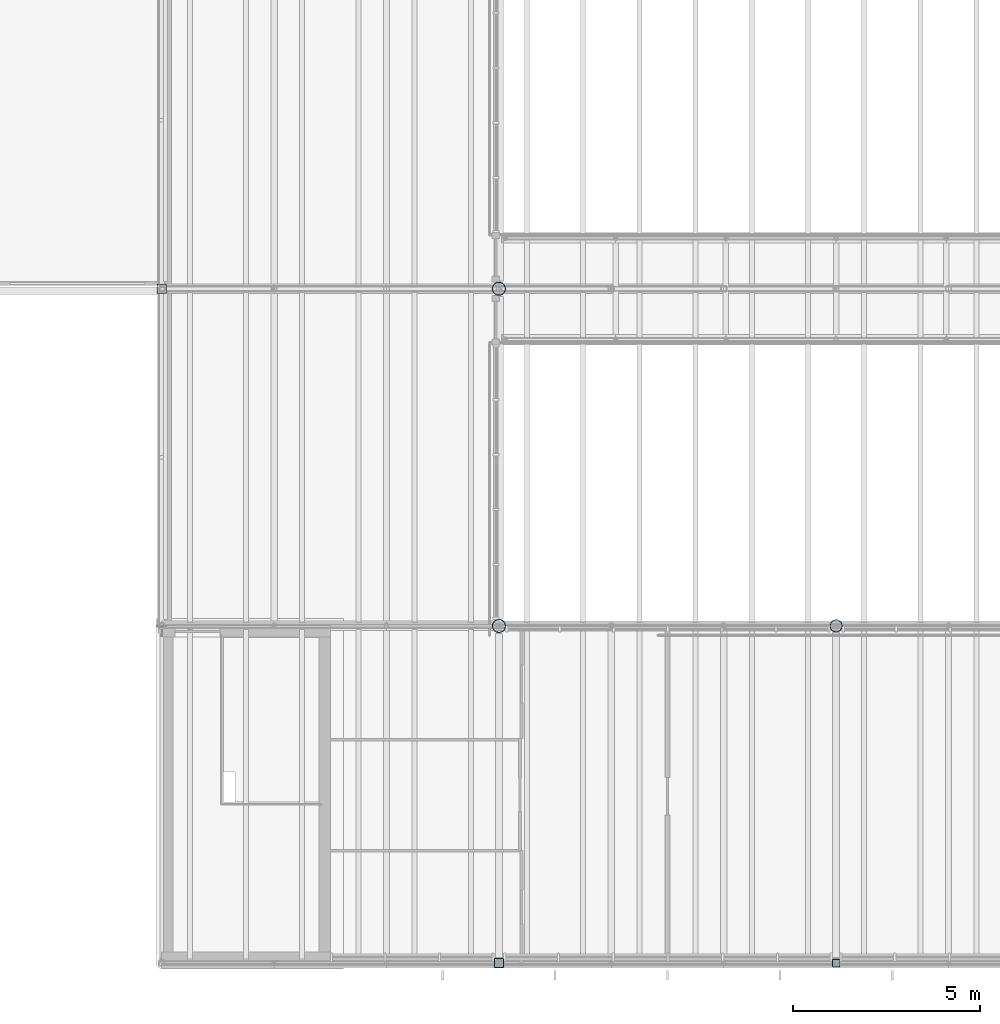
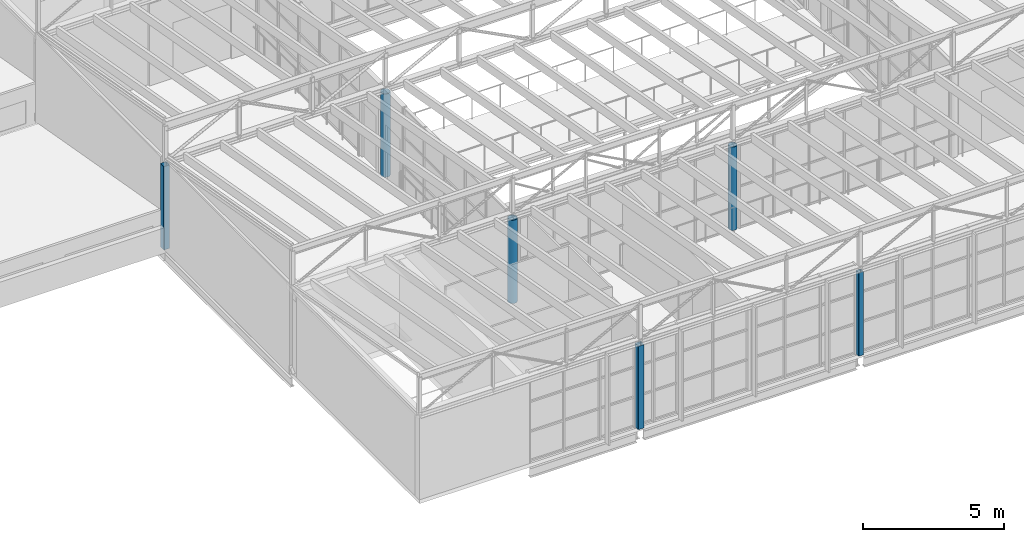
# One storey, part 1 of 44: 6 columns.
"""IFC4 building model written with IfcOpenShell, lengths in metres."""

from ifc_helpers import new_model, si_unit, direction, frame, origin, origin_2d, place, context, subcontext, project, spatial, hollow_rectangle, hollow_circle, extrude, material, material_profile, profile_set, type_object, element, save


model = new_model("IFC4")

# Units and contexts
model_context = context("Model", 3, precision=1e-05, world=origin(), true_north=direction((0.0, 1.0)))
body_context = subcontext(model_context, "Body", "Model", "MODEL_VIEW")
ifc_project = project(units=[si_unit("LENGTHUNIT", "METRE"), si_unit("AREAUNIT", "SQUARE_METRE"), si_unit("VOLUMEUNIT", "CUBIC_METRE"), si_unit("PLANEANGLEUNIT", "RADIAN"), si_unit("MASSUNIT", "GRAM", prefix="KILO")], contexts=[model_context])

# Site, building, storey
site_placement = place(None, origin())
site = spatial("IfcSite", under=ifc_project, at=site_placement, CompositionType="ELEMENT")
building_placement = place(site_placement, origin())
building = spatial("IfcBuilding", under=site, at=building_placement, Name="Halyard Row Museum", CompositionType="ELEMENT")
storey_placement = place(building_placement, frame((0.0, 0.0, 21.199951171875)))
storey = spatial("IfcBuildingStorey", under=building, at=storey_placement, Name="L04", CompositionType="ELEMENT", Elevation=21.199951171875)

# Columns
ifc_material_1 = material(Name="Steel Grade C350L0", Category="steel")
ifc_material_profile_1 = material_profile(ifc_material_1, hollow_rectangle(XDim=0.199951171875, YDim=0.199951171875, WallThickness=0.008056640625, InnerFilletRadius=0.011962890625, OuterFilletRadius=0.02001953125, at=origin_2d()), Name="200x200x8.0SHS")
ifc_profile_set_1 = profile_set([ifc_material_profile_1], Name="Steel Grade C350L0")
column_type_1 = type_object("IfcColumnType", Name="Column 200x200x8.0SHS edge", PredefinedType="COLUMN", material=ifc_profile_set_1)
column_1_placement = place(storey_placement, frame((90.0, 0.0, 0.0), z_axis=(0.0, 0.0, 1.0), x_axis=(1.0, 0.0, 0.0)))
element("IfcColumn", 1, at=column_1_placement, inside=storey, type_object=column_type_1, Name="Column 11A L04", PredefinedType="COLUMN", context=body_context, shape_type="SweptSolid", body=[
    extrude(hollow_rectangle(XDim=0.199951171875, YDim=0.199951171875, WallThickness=0.008056640625, InnerFilletRadius=0.011962890625, OuterFilletRadius=0.02001953125, at=origin_2d()), origin(), (0.0, 0.0, 1.0), 3.60009765625),
])
ifc_material_2 = material(Name="Steel Grade C350L0", Category="steel")
ifc_material_profile_2 = material_profile(ifc_material_2, hollow_rectangle(XDim=0.25, YDim=0.25, WallThickness=0.010009765625, InnerFilletRadius=0.014892578125, OuterFilletRadius=0.02490234375, at=origin_2d()), Name="250x250x10.0SHS")
ifc_profile_set_2 = profile_set([ifc_material_profile_2], Name="Steel Grade C350L0")
column_type_2 = type_object("IfcColumnType", Name="Column 250x250x10.0SHS edge", PredefinedType="COLUMN", material=ifc_profile_set_2)
for number, where, z_axis, x_axis, name in (
    (2, (81.0, 0.0, 0.0), (0.0, 0.0, 1.0), (1.0, 0.0, 0.0), "Column 10A L04"),
    (3, (72.0, 18.0, 0.0), (0.0, 0.0, 1.0), (1.0, 0.0, 0.0), "Column 9C L04"),
):
    element("IfcColumn", number, at=place(storey_placement, frame(where, z_axis=z_axis, x_axis=x_axis)), inside=storey, type_object=column_type_2, Name=name, PredefinedType="COLUMN", context=body_context, shape_type="SweptSolid", body=[
        extrude(hollow_rectangle(XDim=0.25, YDim=0.25, WallThickness=0.010009765625, InnerFilletRadius=0.014892578125, OuterFilletRadius=0.02490234375, at=origin_2d()), origin(), (0.0, 0.0, 1.0), 3.60009765625),
    ])
ifc_material_3 = material(Name="Steel Grade C350L0", Category="steel")
ifc_material_profile_3 = material_profile(ifc_material_3, hollow_circle(Radius=0.161865234375, WallThickness=0.009521484375, at=origin_2d()), Name="323.9x9.5CHS")
ifc_profile_set_3 = profile_set([ifc_material_profile_3], Name="Steel Grade C350L0")
column_type_3 = type_object("IfcColumnType", Name="Column 323.9x9.5CHS atrium", PredefinedType="COLUMN", material=ifc_profile_set_3)
column_2_placement = place(storey_placement, frame((90.0, 9.0, 0.0), z_axis=(0.0, 0.0, 1.0), x_axis=(1.0, 0.0, 0.0)))
element("IfcColumn", 4, at=column_2_placement, inside=storey, type_object=column_type_3, Name="Column 11B L04", PredefinedType="COLUMN", context=body_context, shape_type="SweptSolid", body=[
    extrude(hollow_circle(Radius=0.161865234375, WallThickness=0.009521484375, at=origin_2d()), origin(), (0.0, 0.0, 1.0), 3.60009765625),
])
ifc_material_4 = material(Name="Steel Grade C350L0", Category="steel")
ifc_material_profile_4 = material_profile(ifc_material_4, hollow_circle(Radius=0.177734375, WallThickness=0.0126953125, at=origin_2d()), Name="355.6x12.7CHS")
ifc_profile_set_4 = profile_set([ifc_material_profile_4], Name="Steel Grade C350L0")
column_type_4 = type_object("IfcColumnType", Name="Column 355.6x12.7CHS atrium", PredefinedType="COLUMN", material=ifc_profile_set_4)
for number, where, z_axis, x_axis, name in (
    (5, (81.0, 9.0, 0.0), (0.0, 0.0, 1.0), (1.0, 0.0, 0.0), "Column 10B L04"),
    (6, (81.0, 18.0, 0.0), (0.0, 0.0, 1.0), (1.0, 0.0, 0.0), "Column 10C L04"),
):
    element("IfcColumn", number, at=place(storey_placement, frame(where, z_axis=z_axis, x_axis=x_axis)), inside=storey, type_object=column_type_4, Name=name, PredefinedType="COLUMN", context=body_context, shape_type="SweptSolid", body=[
        extrude(hollow_circle(Radius=0.177734375, WallThickness=0.0126953125, at=origin_2d()), origin(), (0.0, 0.0, 1.0), 3.60009765625),
    ])

save(model, "model.ifc")
